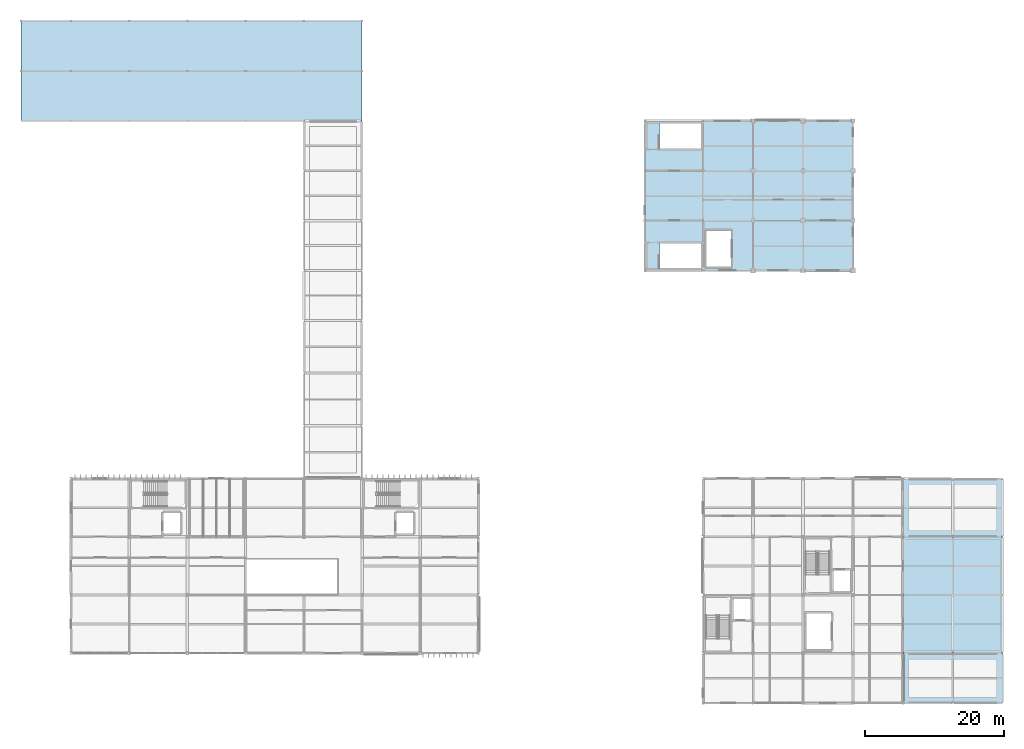
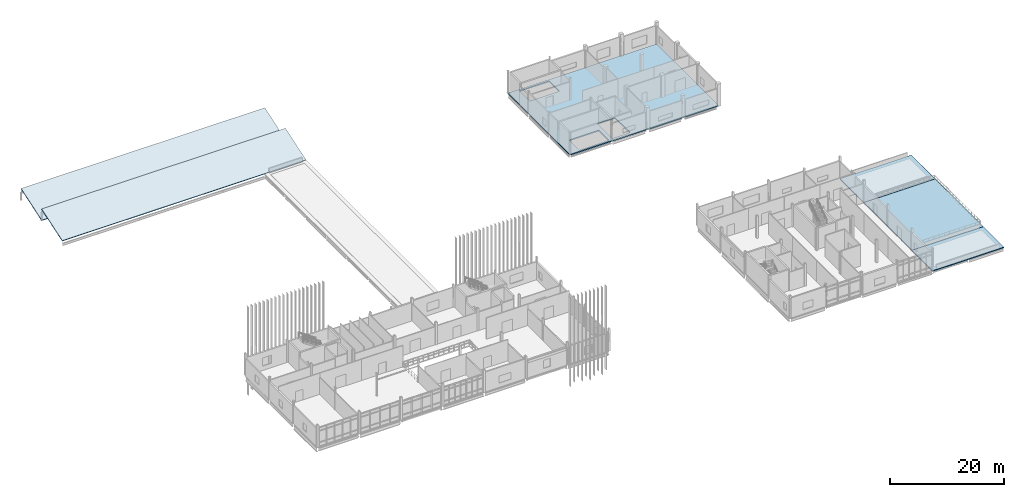
# One storey, part 32 of 72: 6 slabs.
"""IFC4 building model written with IfcOpenShell, lengths in metres."""

from ifc_helpers import new_model, si_unit, direction, frame, origin, place, context, subcontext, project, spatial, polyline, outline, extrude, material, layer, layer_set, type_object, element, save


model = new_model("IFC4")

# Units and contexts
model_context = context("Model", 3, precision=1e-05, world=origin(), true_north=direction((0.0, 1.0)))
body_context = subcontext(model_context, "Body", "Model", "MODEL_VIEW")
ifc_project = project(units=[si_unit("LENGTHUNIT", "METRE"), si_unit("AREAUNIT", "SQUARE_METRE"), si_unit("VOLUMEUNIT", "CUBIC_METRE"), si_unit("PLANEANGLEUNIT", "RADIAN"), si_unit("MASSUNIT", "GRAM", prefix="KILO")], contexts=[model_context])

# Site, building, storey
site_placement = place(None, origin())
site = spatial("IfcSite", under=ifc_project, at=site_placement, CompositionType="ELEMENT")
building_placement = place(site_placement, origin())
building = spatial("IfcBuilding", under=site, at=building_placement, Name="Calvrana Isthmian Art Gallery", CompositionType="ELEMENT")
storey_placement = place(building_placement, frame((0.0, 0.0, 15.0)))
storey = spatial("IfcBuildingStorey", under=building, at=storey_placement, Name="L03", CompositionType="ELEMENT", Elevation=15.0)

# Slabs
ifc_material = material(Name="Concrete C40/50", Category="concrete")
ifc_layer_1 = layer(ifc_material, 0.239990234375, Name="Concrete C40/50")
ifc_layer_set_1 = layer_set([ifc_layer_1], Name="Concrete C40/50")
slab_type_1 = type_object("IfcSlabType", Name="SLB-FLR-240", PredefinedType="FLOOR", material=ifc_layer_set_1)
slab_1_placement = place(storey_placement, frame((0.0, 0.0, -0.239990234375)))
element("IfcSlab", 1, at=slab_1_placement, inside=storey, type_object=slab_type_1, Name="Floor slab V5_L03", PredefinedType="FLOOR", context=body_context, shape_type="SweptSolid", body=[
    extrude(outline(polyline([(104.39990234375, 76.800048828125), (134.39990234375, 76.800048828125), (134.39990234375, 98.39990234375), (104.39990234375, 98.39990234375), (104.39990234375, 76.800048828125)]), holes=[polyline([(106.5, 77.14990234375), (112.4599609375, 77.14990234375), (112.4599609375, 80.669921875), (106.5, 80.669921875), (106.5, 77.14990234375)]), polyline([(113.25, 77.35009765625), (116.85009765625, 77.35009765625), (116.85009765625, 82.550048828125), (113.25, 82.550048828125), (113.25, 77.35009765625)]), polyline([(106.5, 94.429931640625), (112.4599609375, 94.429931640625), (112.4599609375, 98.030029296875), (106.5, 98.030029296875), (106.5, 94.429931640625)])]), origin(), (0.0, 0.0, 1.0), 0.239990234375),
])
ifc_layer_2 = layer(ifc_material, 0.179931640625, Name="Concrete C40/50")
ifc_layer_set_2 = layer_set([ifc_layer_2], Name="Concrete C40/50")
slab_type_2 = type_object("IfcSlabType", Name="SLB-FPROOF-180", PredefinedType="ROOF", material=ifc_layer_set_2)
slab_2_placement = place(storey_placement, frame((14.39990234375, 98.39990234375, 0.0), z_axis=(0.0, -0.316208465333, 0.948689731394), x_axis=(1.0, 0.0, 0.0)))
element("IfcSlab", 2, at=slab_2_placement, inside=storey, type_object=slab_type_2, Name="Sloped roof slab SROOF_V6_SAW1", PredefinedType="ROOF", context=body_context, shape_type="SweptSolid", body=[
    extrude(outline(polyline([(0.0, 0.0), (49.2001953125, 0.0), (49.2001953125, 7.589620794063674), (0.0, 7.589620794063674), (0.0, 0.0)])), origin(), (0.0, 0.0, -1.0), 0.179931640625),
])
slab_3_placement = place(storey_placement, frame((14.39990234375, 105.60009765625, 0.0), z_axis=(0.0, -0.316218115397, 0.948686514869), x_axis=(1.0, 0.0, 0.0)))
element("IfcSlab", 3, at=slab_3_placement, inside=storey, type_object=slab_type_2, Name="Sloped roof slab SROOF_V6_SAW2", PredefinedType="ROOF", context=body_context, shape_type="SweptSolid", body=[
    extrude(outline(polyline([(0.0, 0.0), (49.2001953125, 0.0), (49.2001953125, 7.589389180752356), (0.0, 7.589389180752356), (0.0, 0.0)])), origin(), (0.0, 0.0, -1.0), 0.179931640625),
])
ifc_layer_3 = layer(ifc_material, 0.199951171875, Name="Concrete C40/50")
ifc_layer_set_3 = layer_set([ifc_layer_3], Name="Concrete C40/50")
slab_type_3 = type_object("IfcSlabType", Name="SLB-ROOF-200", PredefinedType="ROOF", material=ifc_layer_set_3)
slab_4_placement = place(storey_placement, frame((0.0, 0.0, -0.199951171875)))
element("IfcSlab", 4, at=slab_4_placement, inside=storey, type_object=slab_type_3, Name="Flat roof slab ROOF_V4ES_L03", PredefinedType="ROOF", context=body_context, shape_type="SweptSolid", body=[
    extrude(outline(polyline([(141.60009765625, 14.39990234375), (156.0, 14.39990234375), (156.0, 21.60009765625), (141.60009765625, 21.60009765625), (141.60009765625, 14.39990234375)])), origin(), (0.0, 0.0, 1.0), 0.199951171875),
])
slab_5_placement = place(storey_placement, frame((0.0, 0.0, -0.199951171875)))
element("IfcSlab", 5, at=slab_5_placement, inside=storey, type_object=slab_type_3, Name="Flat roof slab ROOF_V4EN_L03", PredefinedType="ROOF", context=body_context, shape_type="SweptSolid", body=[
    extrude(outline(polyline([(141.60009765625, 38.39990234375), (156.0, 38.39990234375), (156.0, 46.800048828125), (141.60009765625, 46.800048828125), (141.60009765625, 38.39990234375)])), origin(), (0.0, 0.0, 1.0), 0.199951171875),
])
ifc_layer_4 = layer(ifc_material, 0.199951171875, Name="Concrete C40/50")
ifc_layer_set_4 = layer_set([ifc_layer_4], Name="Concrete C40/50")
slab_type_4 = type_object("IfcSlabType", Name="SLB-TER-200", PredefinedType="FLOOR", material=ifc_layer_set_4)
slab_6_placement = place(storey_placement, frame((0.0, 0.0, -0.199951171875)))
element("IfcSlab", 6, at=slab_6_placement, inside=storey, type_object=slab_type_4, Name="Outdoor sculpture terrace TER_V4E_L03", PredefinedType="FLOOR", context=body_context, shape_type="SweptSolid", body=[
    extrude(outline(polyline([(141.60009765625, 21.60009765625), (156.0, 21.60009765625), (156.0, 38.39990234375), (141.60009765625, 38.39990234375), (141.60009765625, 21.60009765625)])), origin(), (0.0, 0.0, 1.0), 0.199951171875),
])

save(model, "model.ifc")
